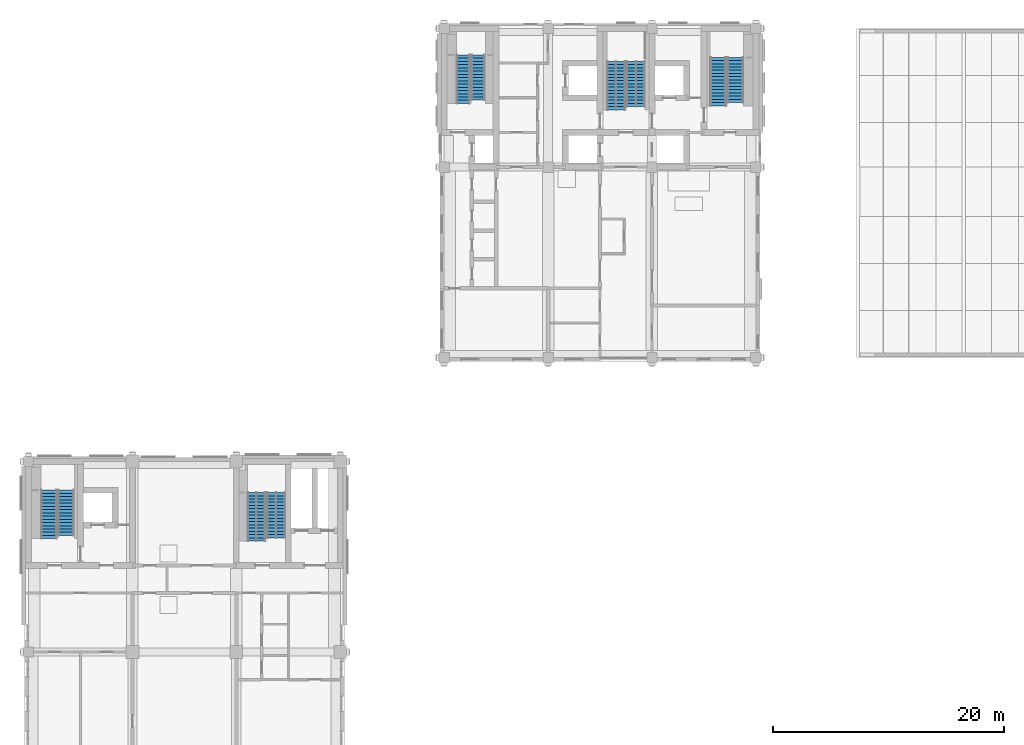
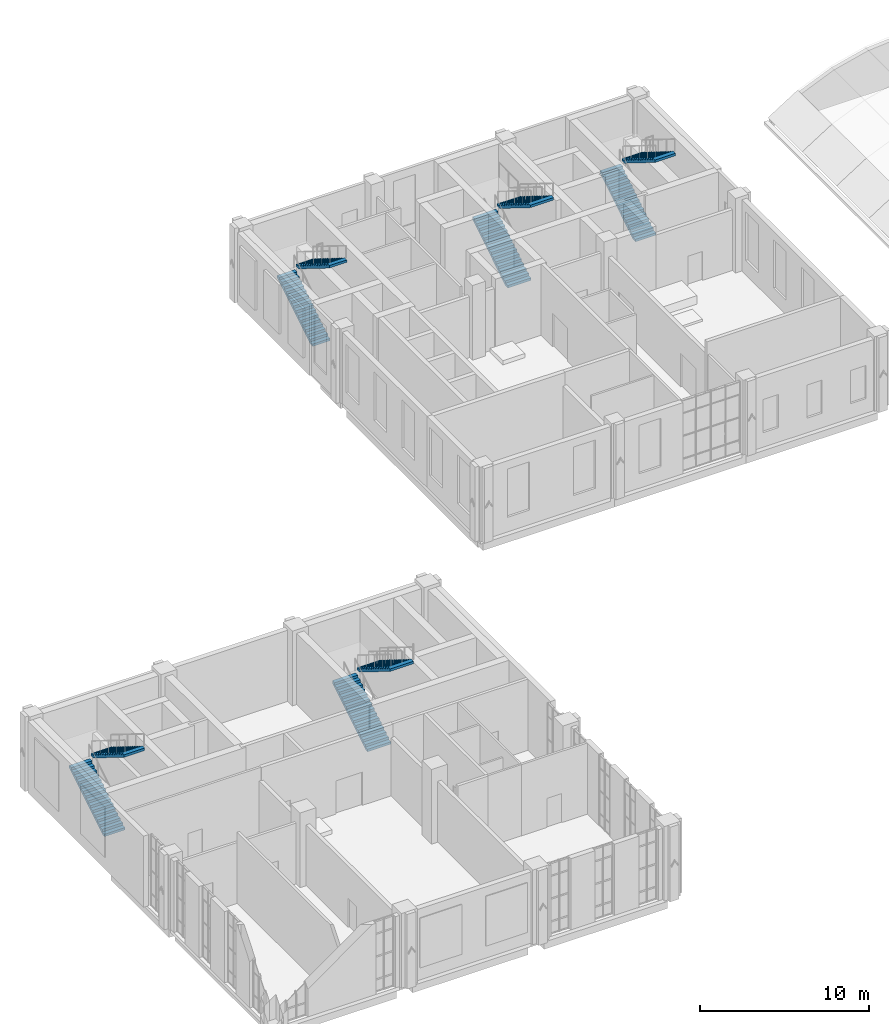
# One storey, part 19 of 25: 10 stair flights, 5 elements without a shape of their own.
"""IFC4 building model written with IfcOpenShell, lengths in metres."""

from ifc_helpers import new_model, si_unit, direction, frame, origin, place, context, subcontext, project, spatial, polyline, outline, extrude, material, type_object, element, aggregate, save


model = new_model("IFC4")

# Units and contexts
model_context = context("Model", 3, precision=1e-05, world=origin(), true_north=direction((0.0, 1.0)))
body_context = subcontext(model_context, "Body", "Model", "MODEL_VIEW")
ifc_project = project(units=[si_unit("LENGTHUNIT", "METRE"), si_unit("AREAUNIT", "SQUARE_METRE"), si_unit("VOLUMEUNIT", "CUBIC_METRE"), si_unit("PLANEANGLEUNIT", "RADIAN"), si_unit("MASSUNIT", "GRAM", prefix="KILO")], contexts=[model_context])

# Site, building, storey
site_placement = place(None, origin())
site = spatial("IfcSite", under=ifc_project, at=site_placement, CompositionType="ELEMENT")
building_placement = place(site_placement, origin())
building = spatial("IfcBuilding", under=site, at=building_placement, Name="Aurelan Courthouse", CompositionType="ELEMENT")
storey_placement = place(building_placement, frame((0.0, 0.0, 33.60009765625)))
storey = spatial("IfcBuildingStorey", under=building, at=storey_placement, Name="L06", CompositionType="ELEMENT", Elevation=33.60009765625)

# Stair, stair flights
ifc_material = material(Name="Concrete C30", Category="concrete")
stair_type_1 = type_object("IfcStairType", Name="Half-turn stair 1200 wide 31 risers", PredefinedType="HALF_TURN_STAIR", material=ifc_material)
stair_1_placement = place(storey_placement, origin())
stair_1 = element("IfcStair", 1, at=stair_1_placement, inside=storey, type_object=stair_type_1, Name="Stair CS-2-L06", PredefinedType="HALF_TURN_STAIR")
stair_flight_type_1 = type_object("IfcStairFlightType", Name="Stair flight 1200 wide 16 risers", PredefinedType="STRAIGHT", material=ifc_material)
stair_flight_1_placement = place(storey_placement, frame((37.659912109375, 59.510009765625, 0.0), z_axis=(0.0, 0.0, 1.0), x_axis=(0.0, 1.0, 0.0)))
stair_flight_1 = element("IfcStairFlight", 2, at=stair_flight_1_placement, type_object=stair_flight_type_1, Name="Stair CS-2-L06 flight 1", NumberOfRisers=16, NumberOfTreads=15, PredefinedType="STRAIGHT", RiserHeight=0.174193548, TreadLength=0.28, context=body_context, shape_type="SweptSolid", body=[
    extrude(outline(polyline([(0.0, 0.0), (0.0, 0.174072265625), (0.280029296875, 0.174072265625), (0.280029296875, 0.348388671875), (0.56005859375, 0.348388671875), (0.56005859375, 0.5224609375), (0.840087890625, 0.5224609375), (0.840087890625, 0.69677734375), (1.1201171875, 0.69677734375), (1.1201171875, 0.870849609375), (1.39990234375, 0.870849609375), (1.39990234375, 1.045166015625), (1.679931640625, 1.045166015625), (1.679931640625, 1.21923828125), (1.9599609375, 1.21923828125), (1.9599609375, 1.3935546875), (2.239990234375, 1.3935546875), (2.239990234375, 1.567626953125), (2.52001953125, 1.567626953125), (2.52001953125, 1.741943359375), (2.800048828125, 1.741943359375), (2.800048828125, 1.916015625), (3.080078125, 1.916015625), (3.080078125, 2.09033203125), (3.360107421875, 2.09033203125), (3.360107421875, 2.264404296875), (3.639892578125, 2.264404296875), (3.639892578125, 2.438720703125), (3.919921875, 2.438720703125), (3.919921875, 2.61279296875), (4.199951171875, 2.61279296875), (4.199951171875, 2.787109375), (4.199951171875, 2.436279296875), (0.28369140625, 0.0), (0.0, 0.0)])), frame((0.0, 0.60009765625, 0.0), z_axis=(0.0, -1.0, 0.0), x_axis=(1.0, 0.0, 0.0)), (0.0, 0.0, 1.0), 1.199951171875),
])
stair_flight_2_placement = place(storey_placement, frame((38.9599609375, 63.7099609375, 2.787109375), z_axis=(0.0, 0.0, 1.0), x_axis=(0.0, -1.0, 0.0)))
stair_flight_2 = element("IfcStairFlight", 3, at=stair_flight_2_placement, type_object=stair_flight_type_1, Name="Stair CS-2-L06 flight 2", NumberOfRisers=15, NumberOfTreads=14, PredefinedType="STRAIGHT", RiserHeight=0.174193548, TreadLength=0.28, context=body_context, shape_type="SweptSolid", body=[
    extrude(outline(polyline([(0.0, 0.0), (0.0, 0.174072265625), (0.280029296875, 0.174072265625), (0.280029296875, 0.348388671875), (0.56005859375, 0.348388671875), (0.56005859375, 0.5224609375), (0.840087890625, 0.5224609375), (0.840087890625, 0.69677734375), (1.1201171875, 0.69677734375), (1.1201171875, 0.870849609375), (1.39990234375, 0.870849609375), (1.39990234375, 1.045166015625), (1.679931640625, 1.045166015625), (1.679931640625, 1.21923828125), (1.9599609375, 1.21923828125), (1.9599609375, 1.3935546875), (2.239990234375, 1.3935546875), (2.239990234375, 1.567626953125), (2.52001953125, 1.567626953125), (2.52001953125, 1.741943359375), (2.800048828125, 1.741943359375), (2.800048828125, 1.916015625), (3.080078125, 1.916015625), (3.080078125, 2.09033203125), (3.360107421875, 2.09033203125), (3.360107421875, 2.264404296875), (3.639892578125, 2.264404296875), (3.639892578125, 2.438720703125), (3.919921875, 2.438720703125), (3.919921875, 2.61279296875), (3.919921875, 2.26220703125), (0.28369140625, 0.0), (0.0, 0.0)])), frame((0.0, 0.60009765625, 0.0), z_axis=(0.0, -1.0, 0.0), x_axis=(1.0, 0.0, 0.0)), (0.0, 0.0, 1.0), 1.199951171875),
])
aggregate(stair_1, [stair_flight_1, stair_flight_2])

stair_type_2 = type_object("IfcStairType", Name="Half-turn stair 1400 wide 31 risers", PredefinedType="HALF_TURN_STAIR", material=ifc_material)
stair_2_placement = place(storey_placement, origin())
stair_2 = element("IfcStair", 4, at=stair_2_placement, inside=storey, type_object=stair_type_2, Name="Stair ST-2E-L06", PredefinedType="HALF_TURN_STAIR")
stair_flight_type_2 = type_object("IfcStairFlightType", Name="Stair flight 1400 wide 16 risers", PredefinedType="STRAIGHT", material=ifc_material)
stair_flight_3_placement = place(storey_placement, frame((59.739990234375, 59.31005859375, 0.0), z_axis=(0.0, 0.0, 1.0), x_axis=(0.0, 1.0, 0.0)))
stair_flight_3 = element("IfcStairFlight", 5, at=stair_flight_3_placement, type_object=stair_flight_type_2, Name="Stair ST-2E-L06 flight 1", NumberOfRisers=16, NumberOfTreads=15, PredefinedType="STRAIGHT", RiserHeight=0.174193548, TreadLength=0.28, context=body_context, shape_type="SweptSolid", body=[
    extrude(outline(polyline([(0.0, 0.0), (0.0, 0.174072265625), (0.280029296875, 0.174072265625), (0.280029296875, 0.348388671875), (0.56005859375, 0.348388671875), (0.56005859375, 0.5224609375), (0.840087890625, 0.5224609375), (0.840087890625, 0.69677734375), (1.1201171875, 0.69677734375), (1.1201171875, 0.870849609375), (1.39990234375, 0.870849609375), (1.39990234375, 1.045166015625), (1.679931640625, 1.045166015625), (1.679931640625, 1.21923828125), (1.9599609375, 1.21923828125), (1.9599609375, 1.3935546875), (2.239990234375, 1.3935546875), (2.239990234375, 1.567626953125), (2.52001953125, 1.567626953125), (2.52001953125, 1.741943359375), (2.800048828125, 1.741943359375), (2.800048828125, 1.916015625), (3.080078125, 1.916015625), (3.080078125, 2.09033203125), (3.360107421875, 2.09033203125), (3.360107421875, 2.264404296875), (3.639892578125, 2.264404296875), (3.639892578125, 2.438720703125), (3.919921875, 2.438720703125), (3.919921875, 2.61279296875), (4.199951171875, 2.61279296875), (4.199951171875, 2.787109375), (4.199951171875, 2.436279296875), (0.28369140625, 0.0), (0.0, 0.0)])), frame((0.0, 0.699951171875, 0.0), z_axis=(0.0, -1.0, 0.0), x_axis=(1.0, 0.0, 0.0)), (0.0, 0.0, 1.0), 1.39990234375),
])
stair_flight_4_placement = place(storey_placement, frame((61.239990234375, 63.510009765625, 2.787109375), z_axis=(0.0, 0.0, 1.0), x_axis=(0.0, -1.0, 0.0)))
stair_flight_4 = element("IfcStairFlight", 6, at=stair_flight_4_placement, type_object=stair_flight_type_2, Name="Stair ST-2E-L06 flight 2", NumberOfRisers=15, NumberOfTreads=14, PredefinedType="STRAIGHT", RiserHeight=0.174193548, TreadLength=0.28, context=body_context, shape_type="SweptSolid", body=[
    extrude(outline(polyline([(0.0, 0.0), (0.0, 0.174072265625), (0.280029296875, 0.174072265625), (0.280029296875, 0.348388671875), (0.56005859375, 0.348388671875), (0.56005859375, 0.5224609375), (0.840087890625, 0.5224609375), (0.840087890625, 0.69677734375), (1.1201171875, 0.69677734375), (1.1201171875, 0.870849609375), (1.39990234375, 0.870849609375), (1.39990234375, 1.045166015625), (1.679931640625, 1.045166015625), (1.679931640625, 1.21923828125), (1.9599609375, 1.21923828125), (1.9599609375, 1.3935546875), (2.239990234375, 1.3935546875), (2.239990234375, 1.567626953125), (2.52001953125, 1.567626953125), (2.52001953125, 1.741943359375), (2.800048828125, 1.741943359375), (2.800048828125, 1.916015625), (3.080078125, 1.916015625), (3.080078125, 2.09033203125), (3.360107421875, 2.09033203125), (3.360107421875, 2.264404296875), (3.639892578125, 2.264404296875), (3.639892578125, 2.438720703125), (3.919921875, 2.438720703125), (3.919921875, 2.61279296875), (3.919921875, 2.26220703125), (0.28369140625, 0.0), (0.0, 0.0)])), frame((0.0, 0.699951171875, 0.0), z_axis=(0.0, -1.0, 0.0), x_axis=(1.0, 0.0, 0.0)), (0.0, 0.0, 1.0), 1.39990234375),
])
aggregate(stair_2, [stair_flight_3, stair_flight_4])

stair_3_placement = place(storey_placement, origin())
stair_3 = element("IfcStair", 7, at=stair_3_placement, inside=storey, type_object=stair_type_2, Name="Stair ST-5B-L06", PredefinedType="HALF_TURN_STAIR")
stair_flight_5_placement = place(storey_placement, frame((1.760009765625, 21.81005859375, 0.0), z_axis=(0.0, 0.0, 1.0), x_axis=(0.0, 1.0, 0.0)))
stair_flight_5 = element("IfcStairFlight", 8, at=stair_flight_5_placement, type_object=stair_flight_type_2, Name="Stair ST-5B-L06 flight 1", NumberOfRisers=16, NumberOfTreads=15, PredefinedType="STRAIGHT", RiserHeight=0.174193548, TreadLength=0.28, context=body_context, shape_type="SweptSolid", body=[
    extrude(outline(polyline([(0.0, 0.0), (0.0, 0.174072265625), (0.280029296875, 0.174072265625), (0.280029296875, 0.348388671875), (0.56005859375, 0.348388671875), (0.56005859375, 0.5224609375), (0.840087890625, 0.5224609375), (0.840087890625, 0.69677734375), (1.1201171875, 0.69677734375), (1.1201171875, 0.870849609375), (1.39990234375, 0.870849609375), (1.39990234375, 1.045166015625), (1.679931640625, 1.045166015625), (1.679931640625, 1.21923828125), (1.9599609375, 1.21923828125), (1.9599609375, 1.3935546875), (2.239990234375, 1.3935546875), (2.239990234375, 1.567626953125), (2.52001953125, 1.567626953125), (2.52001953125, 1.741943359375), (2.800048828125, 1.741943359375), (2.800048828125, 1.916015625), (3.080078125, 1.916015625), (3.080078125, 2.09033203125), (3.360107421875, 2.09033203125), (3.360107421875, 2.264404296875), (3.639892578125, 2.264404296875), (3.639892578125, 2.438720703125), (3.919921875, 2.438720703125), (3.919921875, 2.61279296875), (4.199951171875, 2.61279296875), (4.199951171875, 2.787109375), (4.199951171875, 2.436279296875), (0.28369140625, 0.0), (0.0, 0.0)])), frame((0.0, 0.699951171875, 0.0), z_axis=(0.0, -1.0, 0.0), x_axis=(1.0, 0.0, 0.0)), (0.0, 0.0, 1.0), 1.39990234375),
])
stair_flight_6_placement = place(storey_placement, frame((3.260009765625, 26.010009765625, 2.787109375), z_axis=(0.0, 0.0, 1.0), x_axis=(0.0, -1.0, 0.0)))
stair_flight_6 = element("IfcStairFlight", 9, at=stair_flight_6_placement, type_object=stair_flight_type_2, Name="Stair ST-5B-L06 flight 2", NumberOfRisers=15, NumberOfTreads=14, PredefinedType="STRAIGHT", RiserHeight=0.174193548, TreadLength=0.28, context=body_context, shape_type="SweptSolid", body=[
    extrude(outline(polyline([(0.0, 0.0), (0.0, 0.174072265625), (0.280029296875, 0.174072265625), (0.280029296875, 0.348388671875), (0.56005859375, 0.348388671875), (0.56005859375, 0.5224609375), (0.840087890625, 0.5224609375), (0.840087890625, 0.69677734375), (1.1201171875, 0.69677734375), (1.1201171875, 0.870849609375), (1.39990234375, 0.870849609375), (1.39990234375, 1.045166015625), (1.679931640625, 1.045166015625), (1.679931640625, 1.21923828125), (1.9599609375, 1.21923828125), (1.9599609375, 1.3935546875), (2.239990234375, 1.3935546875), (2.239990234375, 1.567626953125), (2.52001953125, 1.567626953125), (2.52001953125, 1.741943359375), (2.800048828125, 1.741943359375), (2.800048828125, 1.916015625), (3.080078125, 1.916015625), (3.080078125, 2.09033203125), (3.360107421875, 2.09033203125), (3.360107421875, 2.264404296875), (3.639892578125, 2.264404296875), (3.639892578125, 2.438720703125), (3.919921875, 2.438720703125), (3.919921875, 2.61279296875), (3.919921875, 2.26220703125), (0.28369140625, 0.0), (0.0, 0.0)])), frame((0.0, 0.699951171875, 0.0), z_axis=(0.0, -1.0, 0.0), x_axis=(1.0, 0.0, 0.0)), (0.0, 0.0, 1.0), 1.39990234375),
])
aggregate(stair_3, [stair_flight_5, stair_flight_6])

stair_type_3 = type_object("IfcStairType", Name="Half-turn stair 1600 wide 31 risers", PredefinedType="HALF_TURN_STAIR", material=ifc_material)
stair_4_placement = place(storey_placement, origin())
stair_4 = element("IfcStair", 10, at=stair_4_placement, inside=storey, type_object=stair_type_3, Name="Stair ST-2A-L06", PredefinedType="HALF_TURN_STAIR")
stair_flight_type_3 = type_object("IfcStairFlightType", Name="Stair flight 1600 wide 16 risers", PredefinedType="STRAIGHT", material=ifc_material)
stair_flight_7_placement = place(storey_placement, frame((50.89990234375, 58.9599609375, 0.0), z_axis=(0.0, 0.0, 1.0), x_axis=(0.0, 1.0, 0.0)))
stair_flight_7 = element("IfcStairFlight", 11, at=stair_flight_7_placement, type_object=stair_flight_type_3, Name="Stair ST-2A-L06 flight 1", NumberOfRisers=16, NumberOfTreads=15, PredefinedType="STRAIGHT", RiserHeight=0.174193548, TreadLength=0.28, context=body_context, shape_type="SweptSolid", body=[
    extrude(outline(polyline([(0.0, 0.0), (0.0, 0.174072265625), (0.280029296875, 0.174072265625), (0.280029296875, 0.348388671875), (0.56005859375, 0.348388671875), (0.56005859375, 0.5224609375), (0.840087890625, 0.5224609375), (0.840087890625, 0.69677734375), (1.1201171875, 0.69677734375), (1.1201171875, 0.870849609375), (1.39990234375, 0.870849609375), (1.39990234375, 1.045166015625), (1.679931640625, 1.045166015625), (1.679931640625, 1.21923828125), (1.9599609375, 1.21923828125), (1.9599609375, 1.3935546875), (2.239990234375, 1.3935546875), (2.239990234375, 1.567626953125), (2.52001953125, 1.567626953125), (2.52001953125, 1.741943359375), (2.800048828125, 1.741943359375), (2.800048828125, 1.916015625), (3.080078125, 1.916015625), (3.080078125, 2.09033203125), (3.360107421875, 2.09033203125), (3.360107421875, 2.264404296875), (3.639892578125, 2.264404296875), (3.639892578125, 2.438720703125), (3.919921875, 2.438720703125), (3.919921875, 2.61279296875), (4.199951171875, 2.61279296875), (4.199951171875, 2.787109375), (4.199951171875, 2.436279296875), (0.28369140625, 0.0), (0.0, 0.0)])), frame((0.0, 0.800048828125, 0.0), z_axis=(0.0, -1.0, 0.0), x_axis=(1.0, 0.0, 0.0)), (0.0, 0.0, 1.0), 1.60009765625),
])
stair_flight_8_placement = place(storey_placement, frame((52.60009765625, 63.159912109375, 2.787109375), z_axis=(0.0, 0.0, 1.0), x_axis=(0.0, -1.0, 0.0)))
stair_flight_8 = element("IfcStairFlight", 12, at=stair_flight_8_placement, type_object=stair_flight_type_3, Name="Stair ST-2A-L06 flight 2", NumberOfRisers=15, NumberOfTreads=14, PredefinedType="STRAIGHT", RiserHeight=0.174193548, TreadLength=0.28, context=body_context, shape_type="SweptSolid", body=[
    extrude(outline(polyline([(0.0, 0.0), (0.0, 0.174072265625), (0.280029296875, 0.174072265625), (0.280029296875, 0.348388671875), (0.56005859375, 0.348388671875), (0.56005859375, 0.5224609375), (0.840087890625, 0.5224609375), (0.840087890625, 0.69677734375), (1.1201171875, 0.69677734375), (1.1201171875, 0.870849609375), (1.39990234375, 0.870849609375), (1.39990234375, 1.045166015625), (1.679931640625, 1.045166015625), (1.679931640625, 1.21923828125), (1.9599609375, 1.21923828125), (1.9599609375, 1.3935546875), (2.239990234375, 1.3935546875), (2.239990234375, 1.567626953125), (2.52001953125, 1.567626953125), (2.52001953125, 1.741943359375), (2.800048828125, 1.741943359375), (2.800048828125, 1.916015625), (3.080078125, 1.916015625), (3.080078125, 2.09033203125), (3.360107421875, 2.09033203125), (3.360107421875, 2.264404296875), (3.639892578125, 2.264404296875), (3.639892578125, 2.438720703125), (3.919921875, 2.438720703125), (3.919921875, 2.61279296875), (3.919921875, 2.26220703125), (0.28369140625, 0.0), (0.0, 0.0)])), frame((0.0, 0.800048828125, 0.0), z_axis=(0.0, -1.0, 0.0), x_axis=(1.0, 0.0, 0.0)), (0.0, 0.0, 1.0), 1.60009765625),
])
aggregate(stair_4, [stair_flight_7, stair_flight_8])

stair_5_placement = place(storey_placement, origin())
stair_5 = element("IfcStair", 13, at=stair_5_placement, inside=storey, type_object=stair_type_3, Name="Stair ST-5A-L06", PredefinedType="HALF_TURN_STAIR")
stair_flight_9_placement = place(storey_placement, frame((19.75, 21.610107421875, 0.0), z_axis=(0.0, 0.0, 1.0), x_axis=(0.0, 1.0, 0.0)))
stair_flight_9 = element("IfcStairFlight", 14, at=stair_flight_9_placement, type_object=stair_flight_type_3, Name="Stair ST-5A-L06 flight 1", NumberOfRisers=16, NumberOfTreads=15, PredefinedType="STRAIGHT", RiserHeight=0.174193548, TreadLength=0.28, context=body_context, shape_type="SweptSolid", body=[
    extrude(outline(polyline([(0.0, 0.0), (0.0, 0.174072265625), (0.280029296875, 0.174072265625), (0.280029296875, 0.348388671875), (0.56005859375, 0.348388671875), (0.56005859375, 0.5224609375), (0.840087890625, 0.5224609375), (0.840087890625, 0.69677734375), (1.1201171875, 0.69677734375), (1.1201171875, 0.870849609375), (1.39990234375, 0.870849609375), (1.39990234375, 1.045166015625), (1.679931640625, 1.045166015625), (1.679931640625, 1.21923828125), (1.9599609375, 1.21923828125), (1.9599609375, 1.3935546875), (2.239990234375, 1.3935546875), (2.239990234375, 1.567626953125), (2.52001953125, 1.567626953125), (2.52001953125, 1.741943359375), (2.800048828125, 1.741943359375), (2.800048828125, 1.916015625), (3.080078125, 1.916015625), (3.080078125, 2.09033203125), (3.360107421875, 2.09033203125), (3.360107421875, 2.264404296875), (3.639892578125, 2.264404296875), (3.639892578125, 2.438720703125), (3.919921875, 2.438720703125), (3.919921875, 2.61279296875), (4.199951171875, 2.61279296875), (4.199951171875, 2.787109375), (4.199951171875, 2.436279296875), (0.28369140625, 0.0), (0.0, 0.0)])), frame((0.0, 0.800048828125, 0.0), z_axis=(0.0, -1.0, 0.0), x_axis=(1.0, 0.0, 0.0)), (0.0, 0.0, 1.0), 1.60009765625),
])
stair_flight_10_placement = place(storey_placement, frame((21.449951171875, 25.81005859375, 2.787109375), z_axis=(0.0, 0.0, 1.0), x_axis=(0.0, -1.0, 0.0)))
stair_flight_10 = element("IfcStairFlight", 15, at=stair_flight_10_placement, type_object=stair_flight_type_3, Name="Stair ST-5A-L06 flight 2", NumberOfRisers=15, NumberOfTreads=14, PredefinedType="STRAIGHT", RiserHeight=0.174193548, TreadLength=0.28, context=body_context, shape_type="SweptSolid", body=[
    extrude(outline(polyline([(0.0, 0.0), (0.0, 0.174072265625), (0.280029296875, 0.174072265625), (0.280029296875, 0.348388671875), (0.56005859375, 0.348388671875), (0.56005859375, 0.5224609375), (0.840087890625, 0.5224609375), (0.840087890625, 0.69677734375), (1.1201171875, 0.69677734375), (1.1201171875, 0.870849609375), (1.39990234375, 0.870849609375), (1.39990234375, 1.045166015625), (1.679931640625, 1.045166015625), (1.679931640625, 1.21923828125), (1.9599609375, 1.21923828125), (1.9599609375, 1.3935546875), (2.239990234375, 1.3935546875), (2.239990234375, 1.567626953125), (2.52001953125, 1.567626953125), (2.52001953125, 1.741943359375), (2.800048828125, 1.741943359375), (2.800048828125, 1.916015625), (3.080078125, 1.916015625), (3.080078125, 2.09033203125), (3.360107421875, 2.09033203125), (3.360107421875, 2.264404296875), (3.639892578125, 2.264404296875), (3.639892578125, 2.438720703125), (3.919921875, 2.438720703125), (3.919921875, 2.61279296875), (3.919921875, 2.26220703125), (0.28369140625, 0.0), (0.0, 0.0)])), frame((0.0, 0.800048828125, 0.0), z_axis=(0.0, -1.0, 0.0), x_axis=(1.0, 0.0, 0.0)), (0.0, 0.0, 1.0), 1.60009765625),
])
aggregate(stair_5, [stair_flight_9, stair_flight_10])

save(model, "model.ifc")
